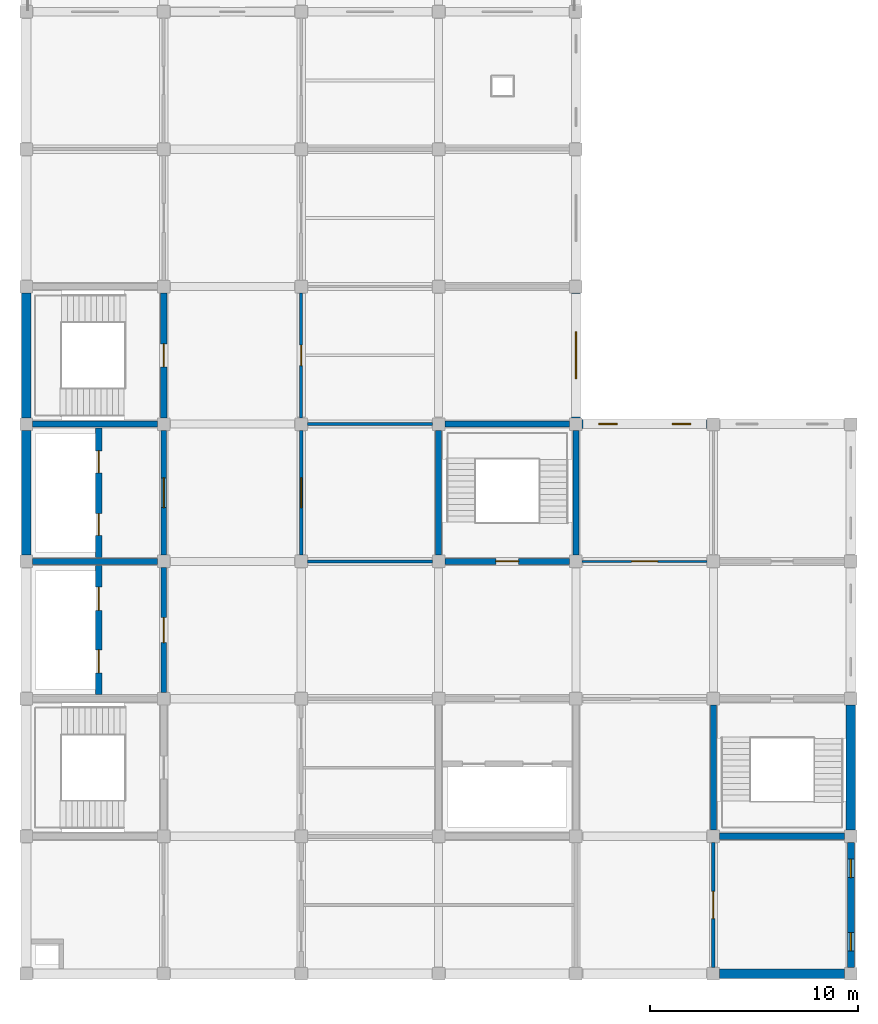
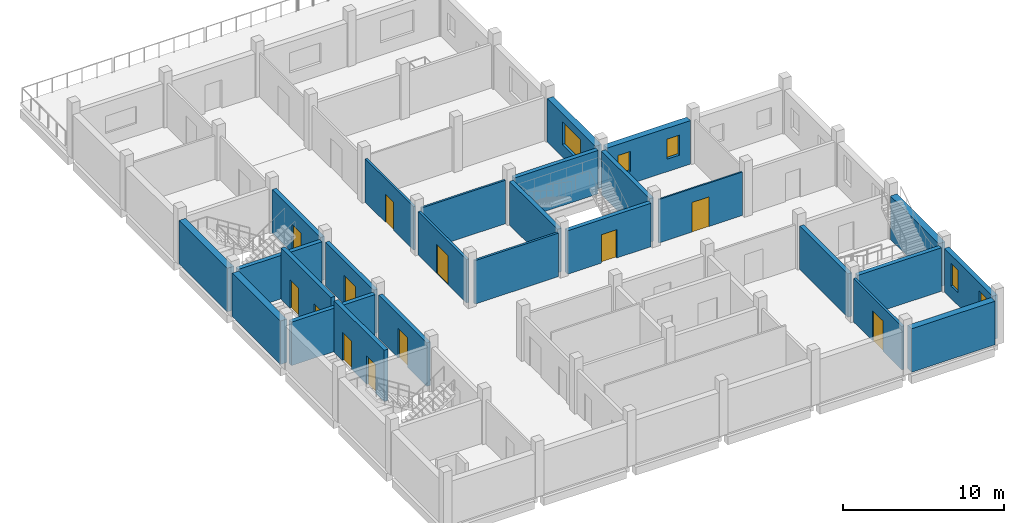
# One storey, part 3 of 7: 26 walls, 12 doors, 5 windows, 17 openings.
"""IFC4 building model written with IfcOpenShell, lengths in metres."""

from ifc_helpers import new_model, si_unit, direction, frame, frame_2d, origin, place, context, subcontext, project, spatial, rectangle, extrude, material, layer, layer_set, type_object, element, fill, save


model = new_model("IFC4")

# Units and contexts
model_context = context("Model", 3, precision=1e-05, world=origin(), true_north=direction((0.0, 1.0)))
body_context = subcontext(model_context, "Body", "Model", "MODEL_VIEW")
ifc_project = project(units=[si_unit("LENGTHUNIT", "METRE"), si_unit("AREAUNIT", "SQUARE_METRE"), si_unit("VOLUMEUNIT", "CUBIC_METRE"), si_unit("PLANEANGLEUNIT", "RADIAN"), si_unit("MASSUNIT", "GRAM", prefix="KILO")], contexts=[model_context])

# Site, building, storey
site_placement = place(None, origin())
site = spatial("IfcSite", under=ifc_project, at=site_placement, CompositionType="ELEMENT")
building_placement = place(site_placement, origin())
building = spatial("IfcBuilding", under=site, at=building_placement, Name="Rusizi Kubbe Research Institute", CompositionType="ELEMENT")
storey_placement = place(building_placement, frame((0.0, 0.0, 64.800048828125)))
storey = spatial("IfcBuildingStorey", under=building, at=storey_placement, Name="L15", CompositionType="ELEMENT", Elevation=64.800048828125)

# Wall
ifc_material_1 = material(Name="Concrete C40/50", Category="concrete")
ifc_layer_1 = layer(ifc_material_1, 0.294921875)
ifc_layer_set_1 = layer_set([ifc_layer_1], Name="Concrete C40/50")
wall_type_1 = type_object("IfcWallType", Name="CRW-03", PredefinedType="SHEAR", material=ifc_layer_set_1)
wall_1_placement = place(storey_placement, frame((0.300048828125, 26.39990234375, 0.0), z_axis=(0.0, 0.0, 1.0), x_axis=(1.0, 0.0, 0.0)))
element("IfcWall", 1, at=wall_1_placement, inside=storey, type_object=wall_type_1, Name="Stair Core Shear Wall ST2 L15 S", PredefinedType="SHEAR", context=body_context, shape_type="SweptSolid", body=[
    extrude(rectangle(XDim=6.0, YDim=0.294921875, at=frame_2d((3.0, 0.0))), origin(), (0.0, 0.0, 1.0), 3.300048828125),
])

# Wall, opening, door
wall_2_placement = place(storey_placement, frame((6.60009765625, 26.699951171875, 0.0), z_axis=(0.0, 0.0, 1.0), x_axis=(0.0, 1.0, 0.0)))
wall_2 = element("IfcWall", 2, at=wall_2_placement, inside=storey, type_object=wall_type_1, Name="Stair Core Shear Wall ST2 L15 E", PredefinedType="SHEAR", context=body_context, shape_type="SweptSolid", body=[
    extrude(rectangle(XDim=6.0, YDim=0.294921875, at=frame_2d((3.0, 0.0))), origin(), (0.0, 0.0, 1.0), 3.300048828125),
])
opening_1_placement = place(wall_2_placement, frame((2.449951171875, 0.0, 0.0)))
opening_1 = element("IfcOpeningElement", 3, at=opening_1_placement, cuts=wall_2, Name="Opening D-01", PredefinedType="OPENING", context=body_context, shape_type="SweptSolid", body=[
    extrude(rectangle(XDim=1.10009765625, YDim=2.14990234375, at=frame_2d((0.550048828125, 1.074951171875))), frame((0.0, 0.157470703125, 0.0), z_axis=(0.0, -1.0, 0.0), x_axis=(1.0, 0.0, 0.0)), (0.0, 0.0, 1.0), 0.31494140625),
])
ifc_material_2 = material(Name="Fire-Rated Steel Frame and Acoustic Timber Leaf", Category="wood")
door_type_1 = type_object("IfcDoorType", Name="ID-STAIR-110", OperationType="NOTDEFINED", PredefinedType="DOOR", material=ifc_material_2)
door_1_placement = place(opening_1_placement, origin())
door_1 = element("IfcDoor", 4, at=door_1_placement, inside=storey, type_object=door_type_1, Name="Exit Stair Door ST2 L15", OperationType="SINGLE_SWING_LEFT", OverallHeight=2.14990234375, OverallWidth=1.10009765625, PredefinedType="DOOR", context=body_context, shape_type="SweptSolid", body=[
    extrude(rectangle(XDim=1.10009765625, YDim=2.14990234375, at=frame_2d((0.550048828125, 1.074951171875))), frame((0.0, 0.02490234375, 0.0), z_axis=(0.0, -1.0, 0.0), x_axis=(1.0, 0.0, 0.0)), (0.0, 0.0, 1.0), 0.050048828125),
])
fill(opening_1, door_1)

wall_3_placement = place(storey_placement, frame((20.10009765625, 19.800048828125, 0.0), z_axis=(0.0, 0.0, 1.0), x_axis=(1.0, 0.0, 0.0)))
wall_3 = element("IfcWall", 5, at=wall_3_placement, inside=storey, type_object=wall_type_1, Name="Stair Core Shear Wall ST3 L15 S", PredefinedType="SHEAR", context=body_context, shape_type="SweptSolid", body=[
    extrude(rectangle(XDim=6.0, YDim=0.294921875, at=frame_2d((3.0, 0.0))), origin(), (0.0, 0.0, 1.0), 3.300048828125),
])
opening_2_placement = place(wall_3_placement, frame((2.449951171875, 0.0, 0.0)))
opening_2 = element("IfcOpeningElement", 6, at=opening_2_placement, cuts=wall_3, Name="Opening D-01", PredefinedType="OPENING", context=body_context, shape_type="SweptSolid", body=[
    extrude(rectangle(XDim=1.10009765625, YDim=2.14990234375, at=frame_2d((0.550048828125, 1.074951171875))), frame((0.0, 0.157470703125, 0.0), z_axis=(0.0, -1.0, 0.0), x_axis=(1.0, 0.0, 0.0)), (0.0, 0.0, 1.0), 0.31494140625),
])
door_2_placement = place(opening_2_placement, origin())
door_2 = element("IfcDoor", 7, at=door_2_placement, inside=storey, type_object=door_type_1, Name="Exit Stair Door ST3 L15", OperationType="SINGLE_SWING_LEFT", OverallHeight=2.14990234375, OverallWidth=1.10009765625, PredefinedType="DOOR", context=body_context, shape_type="SweptSolid", body=[
    extrude(rectangle(XDim=1.10009765625, YDim=2.14990234375, at=frame_2d((0.550048828125, 1.074951171875))), frame((0.0, 0.02490234375, 0.0), z_axis=(0.0, -1.0, 0.0), x_axis=(1.0, 0.0, 0.0)), (0.0, 0.0, 1.0), 0.050048828125),
])
fill(opening_2, door_2)

# Walls
for number, where, z_axis, x_axis, name in (
    (8, (20.10009765625, 26.39990234375, 0.0), (0.0, 0.0, 1.0), (1.0, 0.0, 0.0), "Stair Core Shear Wall ST3 L15 N"),
    (9, (19.800048828125, 20.10009765625, 0.0), (0.0, 0.0, 1.0), (0.0, 1.0, 0.0), "Stair Core Shear Wall ST3 L15 W"),
    (10, (26.39990234375, 20.10009765625, 0.0), (0.0, 0.0, 1.0), (0.0, 1.0, 0.0), "Stair Core Shear Wall ST3 L15 E"),
    (11, (33.300048828125, 6.60009765625, 0.0), (0.0, 0.0, 1.0), (1.0, 0.0, 0.0), "Stair Core Shear Wall ST4 L15 S"),
    (12, (33.0, 6.89990234375, 0.0), (0.0, 0.0, 1.0), (0.0, 1.0, 0.0), "Stair Core Shear Wall ST4 L15 W"),
    (13, (0.300048828125, 19.800048828125, 0.0), (0.0, 0.0, 1.0), (1.0, 0.0, 0.0), "Lift Core Divider Wall (0,2-3) L15"),
):
    element("IfcWall", number, at=place(storey_placement, frame(where, z_axis=z_axis, x_axis=x_axis)), inside=storey, type_object=wall_type_1, Name=name, PredefinedType="SHEAR", context=body_context, shape_type="SweptSolid", body=[
        extrude(rectangle(XDim=6.0, YDim=0.294921875, at=frame_2d((3.0, 0.0))), origin(), (0.0, 0.0, 1.0), 3.300048828125),
    ])

# Wall, openings, doors
wall_4_placement = place(storey_placement, frame((3.47998046875, 13.39990234375, 0.0), z_axis=(0.0, 0.0, 1.0), x_axis=(0.0, 1.0, 0.0)))
wall_4 = element("IfcWall", 14, at=wall_4_placement, inside=storey, type_object=wall_type_1, Name="Firefighting Lift Shaft Front Wall L15", PredefinedType="SHEAR", context=body_context, shape_type="SweptSolid", body=[
    extrude(rectangle(XDim=6.2001953125, YDim=0.294921875, at=frame_2d((3.10009765625, 0.0))), origin(), (0.0, 0.0, 1.0), 3.89990234375),
])
opening_3_placement = place(wall_4_placement, frame((1.050048828125, 0.0, 0.0)))
opening_3 = element("IfcOpeningElement", 15, at=opening_3_placement, cuts=wall_4, Name="Opening LD-01", PredefinedType="OPENING", context=body_context, shape_type="SweptSolid", body=[
    extrude(rectangle(XDim=1.10009765625, YDim=2.14990234375, at=frame_2d((0.550048828125, 1.074951171875))), frame((0.0, 0.157470703125, 0.0), z_axis=(0.0, -1.0, 0.0), x_axis=(1.0, 0.0, 0.0)), (0.0, 0.0, 1.0), 0.31494140625),
])
opening_4_placement = place(wall_4_placement, frame((4.050048828125, 0.0, 0.0)))
opening_4 = element("IfcOpeningElement", 16, at=opening_4_placement, cuts=wall_4, Name="Opening LD-02", PredefinedType="OPENING", context=body_context, shape_type="SweptSolid", body=[
    extrude(rectangle(XDim=1.1201171875, YDim=2.14990234375, at=frame_2d((0.56005859375, 1.074951171875))), frame((0.0, 0.157470703125, 0.0), z_axis=(0.0, -1.0, 0.0), x_axis=(1.0, 0.0, 0.0)), (0.0, 0.0, 1.0), 0.31494140625),
])
ifc_material_3 = material(Name="Brushed Stainless Steel Sliding Door", Category="steel")
door_type_2 = type_object("IfcDoorType", Name="LD-01", OperationType="DOUBLE_DOOR_SLIDING", PredefinedType="USERDEFINED", material=ifc_material_3)
door_3_placement = place(opening_3_placement, origin())
door_3 = element("IfcDoor", 17, at=door_3_placement, inside=storey, type_object=door_type_2, Name="Lift Landing Sliding Door FL1 L15", ObjectType="SLIDING DOOR", OperationType="DOUBLE_DOOR_SLIDING", OverallHeight=2.14990234375, OverallWidth=1.10009765625, PredefinedType="USERDEFINED", context=body_context, shape_type="SweptSolid", body=[
    extrude(rectangle(XDim=1.10009765625, YDim=2.14990234375, at=frame_2d((0.550048828125, 1.074951171875))), frame((0.0, 0.02490234375, 0.0), z_axis=(0.0, -1.0, 0.0), x_axis=(1.0, 0.0, 0.0)), (0.0, 0.0, 1.0), 0.050048828125),
])
fill(opening_3, door_3)
ifc_material_4 = material(Name="Brushed Stainless Steel Sliding Door", Category="steel")
door_type_3 = type_object("IfcDoorType", Name="LD-02", OperationType="DOUBLE_DOOR_SLIDING", PredefinedType="USERDEFINED", material=ifc_material_4)
door_4_placement = place(opening_4_placement, origin())
door_4 = element("IfcDoor", 18, at=door_4_placement, inside=storey, type_object=door_type_3, Name="Lift Landing Sliding Door FL2 L15", ObjectType="SLIDING DOOR", OperationType="DOUBLE_DOOR_SLIDING", OverallHeight=2.14990234375, OverallWidth=1.1201171875, PredefinedType="USERDEFINED", context=body_context, shape_type="SweptSolid", body=[
    extrude(rectangle(XDim=1.1201171875, YDim=2.14990234375, at=frame_2d((0.56005859375, 1.074951171875))), frame((0.0, 0.02490234375, 0.0), z_axis=(0.0, -1.0, 0.0), x_axis=(1.0, 0.0, 0.0)), (0.0, 0.0, 1.0), 0.050048828125),
])
fill(opening_4, door_4)

wall_5_placement = place(storey_placement, frame((3.47998046875, 20.0, 0.0), z_axis=(0.0, 0.0, 1.0), x_axis=(0.0, 1.0, 0.0)))
wall_5 = element("IfcWall", 19, at=wall_5_placement, inside=storey, type_object=wall_type_1, Name="Passenger Lift Shaft Front Wall L15", PredefinedType="SHEAR", context=body_context, shape_type="SweptSolid", body=[
    extrude(rectangle(XDim=6.199951171875, YDim=0.294921875, at=frame_2d((3.10009765625, 0.0))), origin(), (0.0, 0.0, 1.0), 3.89990234375),
])
opening_5_placement = place(wall_5_placement, frame((1.050048828125, 0.0, 0.0)))
opening_5 = element("IfcOpeningElement", 20, at=opening_5_placement, cuts=wall_5, Name="Opening LD-03", PredefinedType="OPENING", context=body_context, shape_type="SweptSolid", body=[
    extrude(rectangle(XDim=1.050048828125, YDim=2.14990234375, at=frame_2d((0.52490234375, 1.074951171875))), frame((0.0, 0.157470703125, 0.0), z_axis=(0.0, -1.0, 0.0), x_axis=(1.0, 0.0, 0.0)), (0.0, 0.0, 1.0), 0.31494140625),
])
opening_6_placement = place(wall_5_placement, frame((4.050048828125, 0.0, 0.0)))
opening_6 = element("IfcOpeningElement", 21, at=opening_6_placement, cuts=wall_5, Name="Opening LD-04", PredefinedType="OPENING", context=body_context, shape_type="SweptSolid", body=[
    extrude(rectangle(XDim=1.06005859375, YDim=2.14990234375, at=frame_2d((0.530029296875, 1.074951171875))), frame((0.0, 0.157470703125, 0.0), z_axis=(0.0, -1.0, 0.0), x_axis=(1.0, 0.0, 0.0)), (0.0, 0.0, 1.0), 0.31494140625),
])
ifc_material_5 = material(Name="Brushed Stainless Steel Sliding Door", Category="steel")
door_type_4 = type_object("IfcDoorType", Name="LD-03", OperationType="DOUBLE_DOOR_SLIDING", PredefinedType="USERDEFINED", material=ifc_material_5)
door_5_placement = place(opening_5_placement, origin())
door_5 = element("IfcDoor", 22, at=door_5_placement, inside=storey, type_object=door_type_4, Name="Lift Landing Sliding Door LP1 L15", ObjectType="SLIDING DOOR", OperationType="DOUBLE_DOOR_SLIDING", OverallHeight=2.14990234375, OverallWidth=1.050048828125, PredefinedType="USERDEFINED", context=body_context, shape_type="SweptSolid", body=[
    extrude(rectangle(XDim=1.050048828125, YDim=2.14990234375, at=frame_2d((0.52490234375, 1.074951171875))), frame((0.0, 0.02490234375, 0.0), z_axis=(0.0, -1.0, 0.0), x_axis=(1.0, 0.0, 0.0)), (0.0, 0.0, 1.0), 0.050048828125),
])
fill(opening_5, door_5)
ifc_material_6 = material(Name="Brushed Stainless Steel Sliding Door", Category="steel")
door_type_5 = type_object("IfcDoorType", Name="LD-04", OperationType="DOUBLE_DOOR_SLIDING", PredefinedType="USERDEFINED", material=ifc_material_6)
door_6_placement = place(opening_6_placement, origin())
door_6 = element("IfcDoor", 23, at=door_6_placement, inside=storey, type_object=door_type_5, Name="Lift Landing Sliding Door LP2 L15", ObjectType="SLIDING DOOR", OperationType="DOUBLE_DOOR_SLIDING", OverallHeight=2.14990234375, OverallWidth=1.06005859375, PredefinedType="USERDEFINED", context=body_context, shape_type="SweptSolid", body=[
    extrude(rectangle(XDim=1.06005859375, YDim=2.14990234375, at=frame_2d((0.530029296875, 1.074951171875))), frame((0.0, 0.02490234375, 0.0), z_axis=(0.0, -1.0, 0.0), x_axis=(1.0, 0.0, 0.0)), (0.0, 0.0, 1.0), 0.050048828125),
])
fill(opening_6, door_6)

# Wall, opening, window
ifc_material_7 = material(Name="Volcanic Basalt Ashlar Masonry", Category="masonry")
ifc_layer_2 = layer(ifc_material_7, 0.43994140625)
ifc_layer_set_2 = layer_set([ifc_layer_2], Name="Volcanic Basalt Ashlar Masonry")
wall_type_2 = type_object("IfcWallType", Name="EW-01", PredefinedType="SOLIDWALL", material=ifc_layer_set_2)
wall_6_placement = place(storey_placement, frame((26.39990234375, 26.699951171875, 0.0), z_axis=(0.0, 0.0, 1.0), x_axis=(0.0, 1.0, 0.0)))
wall_6 = element("IfcWall", 24, at=wall_6_placement, inside=storey, type_object=wall_type_2, Name="Ablaq Stone Exterior Wall L15 V4-4", PredefinedType="SOLIDWALL", context=body_context, shape_type="SweptSolid", body=[
    extrude(rectangle(XDim=6.0, YDim=0.43994140625, at=frame_2d((3.0, 0.0))), origin(), (0.0, 0.0, 1.0), 3.300048828125),
])
opening_7_placement = place(wall_6_placement, frame((1.8798828125, 0.0, 0.949951171875)))
opening_7 = element("IfcOpeningElement", 25, at=opening_7_placement, cuts=wall_6, Name="Opening WN-31", PredefinedType="OPENING", context=body_context, shape_type="SweptSolid", body=[
    extrude(rectangle(XDim=2.239990234375, YDim=1.739990234375, at=frame_2d((1.1201171875, 0.8701171875))), frame((0.0, 0.22998046875, 0.0), z_axis=(0.0, -1.0, 0.0), x_axis=(1.0, 0.0, 0.0)), (0.0, 0.0, 1.0), 0.4599609375),
])
ifc_material_8 = material(Name="Aluminium Frame and Solar-Control Double Glazing", Category="glass")
window_type_1 = type_object("IfcWindowType", Name="WN-31", PartitioningType="DOUBLE_PANEL_VERTICAL", PredefinedType="WINDOW", material=ifc_material_8)
window_1_placement = place(opening_7_placement, origin())
window_1 = element("IfcWindow", 26, at=window_1_placement, inside=storey, type_object=window_type_1, Name="Casement Window WN-31 L15", OverallHeight=1.739990234375, OverallWidth=2.239990234375, PartitioningType="DOUBLE_PANEL_VERTICAL", PredefinedType="WINDOW", context=body_context, shape_type="SweptSolid", body=[
    extrude(rectangle(XDim=2.239990234375, YDim=1.739990234375, at=frame_2d((1.1201171875, 0.8701171875))), frame((0.0, 0.030029296875, 0.0), z_axis=(0.0, -1.0, 0.0), x_axis=(1.0, 0.0, 0.0)), (0.0, 0.0, 1.0), 0.06005859375),
])
fill(opening_7, window_1)

# Wall, openings, windows
wall_7_placement = place(storey_placement, frame((26.699951171875, 26.39990234375, 0.0), z_axis=(0.0, 0.0, 1.0), x_axis=(1.0, 0.0, 0.0)))
wall_7 = element("IfcWall", 27, at=wall_7_placement, inside=storey, type_object=wall_type_2, Name="Ablaq Stone Exterior Wall L15 H4-4", PredefinedType="SOLIDWALL", context=body_context, shape_type="SweptSolid", body=[
    extrude(rectangle(XDim=6.0, YDim=0.43994140625, at=frame_2d((3.0, 0.0))), origin(), (0.0, 0.0, 1.0), 3.300048828125),
])
opening_8_placement = place(wall_7_placement, frame((0.800048828125, 0.0, 0.949951171875)))
opening_8 = element("IfcOpeningElement", 28, at=opening_8_placement, cuts=wall_7, Name="Opening WN-02", PredefinedType="OPENING", context=body_context, shape_type="SweptSolid", body=[
    extrude(rectangle(XDim=0.8798828125, YDim=1.52001953125, at=frame_2d((0.43994140625, 0.760009765625))), frame((0.0, 0.22998046875, 0.0), z_axis=(0.0, -1.0, 0.0), x_axis=(1.0, 0.0, 0.0)), (0.0, 0.0, 1.0), 0.4599609375),
])
opening_9_placement = place(wall_7_placement, frame((4.320068359375, 0.0, 0.949951171875)))
opening_9 = element("IfcOpeningElement", 29, at=opening_9_placement, cuts=wall_7, Name="Opening WN-02", PredefinedType="OPENING", context=body_context, shape_type="SweptSolid", body=[
    extrude(rectangle(XDim=0.8798828125, YDim=1.52001953125, at=frame_2d((0.43994140625, 0.760009765625))), frame((0.0, 0.22998046875, 0.0), z_axis=(0.0, -1.0, 0.0), x_axis=(1.0, 0.0, 0.0)), (0.0, 0.0, 1.0), 0.4599609375),
])
ifc_material_9 = material(Name="Aluminium Frame and Solar-Control Double Glazing", Category="glass")
window_type_2 = type_object("IfcWindowType", Name="WN-02", PartitioningType="SINGLE_PANEL", PredefinedType="WINDOW", material=ifc_material_9)
window_2_placement = place(opening_8_placement, origin())
window_2 = element("IfcWindow", 30, at=window_2_placement, inside=storey, type_object=window_type_2, Name="Casement Window WN-02 L15", OverallHeight=1.52001953125, OverallWidth=0.8798828125, PartitioningType="SINGLE_PANEL", PredefinedType="WINDOW", context=body_context, shape_type="SweptSolid", body=[
    extrude(rectangle(XDim=0.8798828125, YDim=1.52001953125, at=frame_2d((0.43994140625, 0.760009765625))), frame((0.0, 0.030029296875, 0.0), z_axis=(0.0, -1.0, 0.0), x_axis=(1.0, 0.0, 0.0)), (0.0, 0.0, 1.0), 0.06005859375),
])
fill(opening_8, window_2)
window_3_placement = place(opening_9_placement, origin())
window_3 = element("IfcWindow", 31, at=window_3_placement, inside=storey, type_object=window_type_2, Name="Casement Window WN-02 L15", OverallHeight=1.52001953125, OverallWidth=0.8798828125, PartitioningType="SINGLE_PANEL", PredefinedType="WINDOW", context=body_context, shape_type="SweptSolid", body=[
    extrude(rectangle(XDim=0.8798828125, YDim=1.52001953125, at=frame_2d((0.43994140625, 0.760009765625))), frame((0.0, 0.030029296875, 0.0), z_axis=(0.0, -1.0, 0.0), x_axis=(1.0, 0.0, 0.0)), (0.0, 0.0, 1.0), 0.06005859375),
])
fill(opening_9, window_3)

ifc_material_10 = material(Name="Volcanic Basalt Ashlar Masonry", Category="masonry")
ifc_layer_3 = layer(ifc_material_10, 0.340087890625)
ifc_layer_set_3 = layer_set([ifc_layer_3], Name="Volcanic Basalt Ashlar Masonry")
wall_type_3 = type_object("IfcWallType", Name="EW-07", PredefinedType="SOLIDWALL", material=ifc_layer_set_3)
wall_8_placement = place(storey_placement, frame((39.60009765625, 0.300048828125, 0.0), z_axis=(0.0, 0.0, 1.0), x_axis=(0.0, 1.0, 0.0)))
wall_8 = element("IfcWall", 32, at=wall_8_placement, inside=storey, type_object=wall_type_3, Name="Ablaq Stone Exterior Wall L15 V6-0", PredefinedType="SOLIDWALL", context=body_context, shape_type="SweptSolid", body=[
    extrude(rectangle(XDim=6.0, YDim=0.340087890625, at=frame_2d((3.0, 0.0))), origin(), (0.0, 0.0, 1.0), 3.300048828125),
])
opening_10_placement = place(wall_8_placement, frame((0.800048828125, 0.0, 0.949951171875)))
opening_10 = element("IfcOpeningElement", 33, at=opening_10_placement, cuts=wall_8, Name="Opening WN-03", PredefinedType="OPENING", context=body_context, shape_type="SweptSolid", body=[
    extrude(rectangle(XDim=0.8798828125, YDim=1.739990234375, at=frame_2d((0.43994140625, 0.8701171875))), frame((0.0, 0.179931640625, 0.0), z_axis=(0.0, -1.0, 0.0), x_axis=(1.0, 0.0, 0.0)), (0.0, 0.0, 1.0), 0.360107421875),
])
opening_11_placement = place(wall_8_placement, frame((4.320068359375, 0.0, 0.949951171875)))
opening_11 = element("IfcOpeningElement", 34, at=opening_11_placement, cuts=wall_8, Name="Opening WN-03", PredefinedType="OPENING", context=body_context, shape_type="SweptSolid", body=[
    extrude(rectangle(XDim=0.8798828125, YDim=1.739990234375, at=frame_2d((0.43994140625, 0.8701171875))), frame((0.0, 0.179931640625, 0.0), z_axis=(0.0, -1.0, 0.0), x_axis=(1.0, 0.0, 0.0)), (0.0, 0.0, 1.0), 0.360107421875),
])
ifc_material_11 = material(Name="Aluminium Frame and Solar-Control Double Glazing", Category="glass")
window_type_3 = type_object("IfcWindowType", Name="WN-03", PartitioningType="SINGLE_PANEL", PredefinedType="WINDOW", material=ifc_material_11)
window_4_placement = place(opening_10_placement, origin())
window_4 = element("IfcWindow", 35, at=window_4_placement, inside=storey, type_object=window_type_3, Name="Casement Window WN-03 L15", OverallHeight=1.739990234375, OverallWidth=0.8798828125, PartitioningType="SINGLE_PANEL", PredefinedType="WINDOW", context=body_context, shape_type="SweptSolid", body=[
    extrude(rectangle(XDim=0.8798828125, YDim=1.739990234375, at=frame_2d((0.43994140625, 0.8701171875))), frame((0.0, 0.030029296875, 0.0), z_axis=(0.0, -1.0, 0.0), x_axis=(1.0, 0.0, 0.0)), (0.0, 0.0, 1.0), 0.06005859375),
])
fill(opening_10, window_4)
window_5_placement = place(opening_11_placement, origin())
window_5 = element("IfcWindow", 36, at=window_5_placement, inside=storey, type_object=window_type_3, Name="Casement Window WN-03 L15", OverallHeight=1.739990234375, OverallWidth=0.8798828125, PartitioningType="SINGLE_PANEL", PredefinedType="WINDOW", context=body_context, shape_type="SweptSolid", body=[
    extrude(rectangle(XDim=0.8798828125, YDim=1.739990234375, at=frame_2d((0.43994140625, 0.8701171875))), frame((0.0, 0.030029296875, 0.0), z_axis=(0.0, -1.0, 0.0), x_axis=(1.0, 0.0, 0.0)), (0.0, 0.0, 1.0), 0.06005859375),
])
fill(opening_11, window_5)

# Wall, opening, door
ifc_material_12 = material(Name="Acoustic Laboratory Partition", Category="masonry")
ifc_layer_4 = layer(ifc_material_12, 0.175048828125)
ifc_layer_set_4 = layer_set([ifc_layer_4], Name="Acoustic Laboratory Partition")
wall_type_4 = type_object("IfcWallType", Name="IW-03", PredefinedType="PARTITIONING", material=ifc_layer_set_4)
wall_9_placement = place(storey_placement, frame((13.199951171875, 20.10009765625, 0.0), z_axis=(0.0, 0.0, 1.0), x_axis=(0.0, 1.0, 0.0)))
wall_9 = element("IfcWall", 37, at=wall_9_placement, inside=storey, type_object=wall_type_4, Name="Interior Partition Wall L15 V2-3", PredefinedType="PARTITIONING", context=body_context, shape_type="SweptSolid", body=[
    extrude(rectangle(XDim=6.0, YDim=0.175048828125, at=frame_2d((3.0, 0.0))), origin(), (0.0, 0.0, 1.0), 3.300048828125),
])
opening_12_placement = place(wall_9_placement, frame((2.2900390625, 0.0, 0.0)))
opening_12 = element("IfcOpeningElement", 38, at=opening_12_placement, cuts=wall_9, Name="Opening D-22", PredefinedType="OPENING", context=body_context, shape_type="SweptSolid", body=[
    extrude(rectangle(XDim=1.419921875, YDim=2.199951171875, at=frame_2d((0.7099609375, 1.10009765625))), frame((0.0, 0.097412109375, 0.0), z_axis=(0.0, -1.0, 0.0), x_axis=(1.0, 0.0, 0.0)), (0.0, 0.0, 1.0), 0.195068359375),
])
ifc_material_13 = material(Name="Fire-Rated Steel Frame and Acoustic Timber Leaf", Category="wood")
door_type_6 = type_object("IfcDoorType", Name="ID-STR-142", OperationType="DOUBLE_DOOR_SINGLE_SWING", PredefinedType="DOOR", material=ifc_material_13)
door_7_placement = place(opening_12_placement, origin())
door_7 = element("IfcDoor", 39, at=door_7_placement, inside=storey, type_object=door_type_6, Name="Door to Colloquium Seminar Room (L15-NW-01)", OperationType="DOUBLE_DOOR_SINGLE_SWING", OverallHeight=2.199951171875, OverallWidth=1.419921875, PredefinedType="DOOR", context=body_context, shape_type="SweptSolid", body=[
    extrude(rectangle(XDim=1.419921875, YDim=2.199951171875, at=frame_2d((0.7099609375, 1.10009765625))), frame((0.0, 0.02490234375, 0.0), z_axis=(0.0, -1.0, 0.0), x_axis=(1.0, 0.0, 0.0)), (0.0, 0.0, 1.0), 0.050048828125),
])
fill(opening_12, door_7)

wall_10_placement = place(storey_placement, frame((33.0, 0.300048828125, 0.0), z_axis=(0.0, 0.0, 1.0), x_axis=(0.0, 1.0, 0.0)))
wall_10 = element("IfcWall", 40, at=wall_10_placement, inside=storey, type_object=wall_type_4, Name="Interior Partition Wall L15 V5-0", PredefinedType="PARTITIONING", context=body_context, shape_type="SweptSolid", body=[
    extrude(rectangle(XDim=6.0, YDim=0.175048828125, at=frame_2d((3.0, 0.0))), origin(), (0.0, 0.0, 1.0), 3.300048828125),
])
opening_13_placement = place(wall_10_placement, frame((2.35009765625, 0.0, 0.0)))
opening_13 = element("IfcOpeningElement", 41, at=opening_13_placement, cuts=wall_10, Name="Opening D-14", PredefinedType="OPENING", context=body_context, shape_type="SweptSolid", body=[
    extrude(rectangle(XDim=1.300048828125, YDim=2.300048828125, at=frame_2d((0.64990234375, 1.14990234375))), frame((0.0, 0.097412109375, 0.0), z_axis=(0.0, -1.0, 0.0), x_axis=(1.0, 0.0, 0.0)), (0.0, 0.0, 1.0), 0.195068359375),
])
ifc_material_14 = material(Name="Fire-Rated Steel Frame and Acoustic Timber Leaf", Category="wood")
door_type_7 = type_object("IfcDoorType", Name="ID-LAB-130", OperationType="NOTDEFINED", PredefinedType="DOOR", material=ifc_material_14)
door_8_placement = place(opening_13_placement, origin())
door_8 = element("IfcDoor", 42, at=door_8_placement, inside=storey, type_object=door_type_7, Name="Door to Laboratory Instrument Support Room (L15-EWU-05)", OperationType="SINGLE_SWING_RIGHT", OverallHeight=2.300048828125, OverallWidth=1.300048828125, PredefinedType="DOOR", context=body_context, shape_type="SweptSolid", body=[
    extrude(rectangle(XDim=1.300048828125, YDim=2.300048828125, at=frame_2d((0.64990234375, 1.14990234375))), frame((0.0, 0.02490234375, 0.0), z_axis=(0.0, -1.0, 0.0), x_axis=(1.0, 0.0, 0.0)), (0.0, 0.0, 1.0), 0.050048828125),
])
fill(opening_13, door_8)

ifc_material_15 = material(Name="Fire-Rated Corridor Partition", Category="masonry")
ifc_layer_5 = layer(ifc_material_15, 0.155029296875)
ifc_layer_set_5 = layer_set([ifc_layer_5], Name="Fire-Rated Corridor Partition")
wall_type_5 = type_object("IfcWallType", Name="IW-04", PredefinedType="PARTITIONING", material=ifc_layer_set_5)
wall_11_placement = place(storey_placement, frame((13.199951171875, 26.699951171875, 0.0), z_axis=(0.0, 0.0, 1.0), x_axis=(0.0, 1.0, 0.0)))
wall_11 = element("IfcWall", 43, at=wall_11_placement, inside=storey, type_object=wall_type_5, Name="Interior Partition Wall L15 V2-4", PredefinedType="PARTITIONING", context=body_context, shape_type="SweptSolid", body=[
    extrude(rectangle(XDim=6.0, YDim=0.155029296875, at=frame_2d((3.0, 0.0))), origin(), (0.0, 0.0, 1.0), 3.300048828125),
])
opening_14_placement = place(wall_11_placement, frame((2.510009765625, 0.0, 0.0)))
opening_14 = element("IfcOpeningElement", 44, at=opening_14_placement, cuts=wall_11, Name="Opening D-20", PredefinedType="OPENING", context=body_context, shape_type="SweptSolid", body=[
    extrude(rectangle(XDim=0.97998046875, YDim=2.14990234375, at=frame_2d((0.489990234375, 1.074951171875))), frame((0.0, 0.08740234375, 0.0), z_axis=(0.0, -1.0, 0.0), x_axis=(1.0, 0.0, 0.0)), (0.0, 0.0, 1.0), 0.175048828125),
])
ifc_material_16 = material(Name="Fire-Rated Steel Frame and Acoustic Timber Leaf", Category="wood")
door_type_8 = type_object("IfcDoorType", Name="ID-OFF-980", OperationType="NOTDEFINED", PredefinedType="DOOR", material=ifc_material_16)
door_9_placement = place(opening_14_placement, origin())
door_9 = element("IfcDoor", 45, at=door_9_placement, inside=storey, type_object=door_type_8, Name="Door to Write-up Office (L15-NW-02)", OperationType="SINGLE_SWING_LEFT", OverallHeight=2.14990234375, OverallWidth=0.97998046875, PredefinedType="DOOR", context=body_context, shape_type="SweptSolid", body=[
    extrude(rectangle(XDim=0.97998046875, YDim=2.14990234375, at=frame_2d((0.489990234375, 1.074951171875))), frame((0.0, 0.02490234375, 0.0), z_axis=(0.0, -1.0, 0.0), x_axis=(1.0, 0.0, 0.0)), (0.0, 0.0, 1.0), 0.050048828125),
])
fill(opening_14, door_9)

# Walls
wall_12_placement = place(storey_placement, frame((13.5, 19.800048828125, 0.0), z_axis=(0.0, 0.0, 1.0), x_axis=(1.0, 0.0, 0.0)))
element("IfcWall", 46, at=wall_12_placement, inside=storey, type_object=wall_type_5, Name="Interior Partition Wall L15 H2-3", PredefinedType="PARTITIONING", context=body_context, shape_type="SweptSolid", body=[
    extrude(rectangle(XDim=6.0, YDim=0.155029296875, at=frame_2d((3.0, 0.0))), origin(), (0.0, 0.0, 1.0), 3.300048828125),
])
ifc_material_17 = material(Name="Write-up Glazed Acoustic Partition", Category="masonry")
ifc_layer_6 = layer(ifc_material_17, 0.139892578125)
ifc_layer_set_6 = layer_set([ifc_layer_6], Name="Write-up Glazed Acoustic Partition")
wall_type_6 = type_object("IfcWallType", Name="IW-05", PredefinedType="PARTITIONING", material=ifc_layer_set_6)
wall_13_placement = place(storey_placement, frame((13.5, 26.39990234375, 0.0), z_axis=(0.0, 0.0, 1.0), x_axis=(1.0, 0.0, 0.0)))
element("IfcWall", 47, at=wall_13_placement, inside=storey, type_object=wall_type_6, Name="Interior Partition Wall L15 H2-4", PredefinedType="PARTITIONING", context=body_context, shape_type="SweptSolid", body=[
    extrude(rectangle(XDim=6.0, YDim=0.139892578125, at=frame_2d((3.0, 0.0))), origin(), (0.0, 0.0, 1.0), 3.300048828125),
])

# Wall, opening, door
ifc_material_18 = material(Name="Sub-Suite Fire Partition", Category="masonry")
ifc_layer_7 = layer(ifc_material_18, 0.110107421875)
ifc_layer_set_7 = layer_set([ifc_layer_7], Name="Sub-Suite Fire Partition")
wall_type_7 = type_object("IfcWallType", Name="IW-07", PredefinedType="PARTITIONING", material=ifc_layer_set_7)
wall_14_placement = place(storey_placement, frame((26.699951171875, 19.800048828125, 0.0), z_axis=(0.0, 0.0, 1.0), x_axis=(1.0, 0.0, 0.0)))
wall_14 = element("IfcWall", 48, at=wall_14_placement, inside=storey, type_object=wall_type_7, Name="Interior Partition Wall L15 H4-3", PredefinedType="PARTITIONING", context=body_context, shape_type="SweptSolid", body=[
    extrude(rectangle(XDim=6.0, YDim=0.110107421875, at=frame_2d((3.0, 0.0))), origin(), (0.0, 0.0, 1.0), 3.300048828125),
])
opening_15_placement = place(wall_14_placement, frame((2.375, 0.0, 0.0)))
opening_15 = element("IfcOpeningElement", 49, at=opening_15_placement, cuts=wall_14, Name="Opening D-15", PredefinedType="OPENING", context=body_context, shape_type="SweptSolid", body=[
    extrude(rectangle(XDim=1.25, YDim=2.25, at=frame_2d((0.625, 1.125))), frame((0.0, 0.06494140625, 0.0), z_axis=(0.0, -1.0, 0.0), x_axis=(1.0, 0.0, 0.0)), (0.0, 0.0, 1.0), 0.130126953125),
])
ifc_material_19 = material(Name="Fire-Rated Steel Frame and Acoustic Timber Leaf", Category="wood")
door_type_9 = type_object("IfcDoorType", Name="ID-LAB-125", OperationType="NOTDEFINED", PredefinedType="DOOR", material=ifc_material_19)
door_10_placement = place(opening_15_placement, origin())
door_10 = element("IfcDoor", 50, at=door_10_placement, inside=storey, type_object=door_type_9, Name="Door to Molecular Diagnostics Laboratory (L15-EWN-01)", OperationType="SINGLE_SWING_LEFT", OverallHeight=2.25, OverallWidth=1.25, PredefinedType="DOOR", context=body_context, shape_type="SweptSolid", body=[
    extrude(rectangle(XDim=1.25, YDim=2.25, at=frame_2d((0.625, 1.125))), frame((0.0, 0.02490234375, 0.0), z_axis=(0.0, -1.0, 0.0), x_axis=(1.0, 0.0, 0.0)), (0.0, 0.0, 1.0), 0.050048828125),
])
fill(opening_15, door_10)

# Walls
ifc_material_20 = material(Name="Concrete C40/50", Category="concrete")
ifc_layer_8 = layer(ifc_material_20, 0.4599609375)
ifc_layer_set_8 = layer_set([ifc_layer_8], Name="Concrete C40/50")
wall_type_8 = type_object("IfcWallType", Name="PW-02", PredefinedType="SOLIDWALL", material=ifc_layer_set_8)
for number, where, z_axis, x_axis, name in (
    (51, (0.0, 20.10009765625, 0.0), (0.0, 0.0, 1.0), (0.0, 1.0, 0.0), "Blind Party Wall L15 V0-3"),
    (52, (0.0, 26.699951171875, 0.0), (0.0, 0.0, 1.0), (0.0, 1.0, 0.0), "Blind Party Wall L15 V0-4"),
    (53, (33.300048828125, 0.0, 0.0), (0.0, 0.0, 1.0), (1.0, 0.0, 0.0), "Blind Party Wall L15 H5-0"),
    (54, (39.60009765625, 6.89990234375, 0.0), (0.0, 0.0, 1.0), (0.0, 1.0, 0.0), "Core Shear Exterior Wall L15 V6-1"),
):
    element("IfcWall", number, at=place(storey_placement, frame(where, z_axis=z_axis, x_axis=x_axis)), inside=storey, type_object=wall_type_8, Name=name, PredefinedType="SOLIDWALL", context=body_context, shape_type="SweptSolid", body=[
        extrude(rectangle(XDim=6.0, YDim=0.4599609375, at=frame_2d((3.0, 0.0))), origin(), (0.0, 0.0, 1.0), 3.300048828125),
    ])

# Wall, opening, door
ifc_material_21 = material(Name="Concrete C40/50", Category="concrete")
ifc_layer_9 = layer(ifc_material_21, 0.27490234375)
ifc_layer_set_9 = layer_set([ifc_layer_9], Name="Concrete C40/50")
wall_type_9 = type_object("IfcWallType", Name="SHW-01", PredefinedType="SHEAR", material=ifc_layer_set_9)
wall_15_placement = place(storey_placement, frame((6.60009765625, 13.5, 0.0), z_axis=(0.0, 0.0, 1.0), x_axis=(0.0, 1.0, 0.0)))
wall_15 = element("IfcWall", 55, at=wall_15_placement, inside=storey, type_object=wall_type_9, Name="Firefighting Lobby Wall L15", PredefinedType="SHEAR", context=body_context, shape_type="SweptSolid", body=[
    extrude(rectangle(XDim=6.0, YDim=0.27490234375, at=frame_2d((3.0, 0.0))), origin(), (0.0, 0.0, 1.0), 3.300048828125),
])
opening_16_placement = place(wall_15_placement, frame((2.39990234375, 0.0, 0.0)))
opening_16 = element("IfcOpeningElement", 56, at=opening_16_placement, cuts=wall_15, Name="Opening D-03", PredefinedType="OPENING", context=body_context, shape_type="SweptSolid", body=[
    extrude(rectangle(XDim=1.199951171875, YDim=2.25, at=frame_2d((0.60009765625, 1.125))), frame((0.0, 0.1474609375, 0.0), z_axis=(0.0, -1.0, 0.0), x_axis=(1.0, 0.0, 0.0)), (0.0, 0.0, 1.0), 0.294921875),
])
ifc_material_22 = material(Name="Fire-Rated Steel Frame and Acoustic Timber Leaf", Category="wood")
door_type_10 = type_object("IfcDoorType", Name="ID-FF-120", OperationType="NOTDEFINED", PredefinedType="DOOR", material=ifc_material_22)
door_11_placement = place(opening_16_placement, origin())
door_11 = element("IfcDoor", 57, at=door_11_placement, inside=storey, type_object=door_type_10, Name="Door to Firefighting Lift Lobby (L15-FFL-01)", OperationType="SINGLE_SWING_LEFT", OverallHeight=2.25, OverallWidth=1.199951171875, PredefinedType="DOOR", context=body_context, shape_type="SweptSolid", body=[
    extrude(rectangle(XDim=1.199951171875, YDim=2.25, at=frame_2d((0.60009765625, 1.125))), frame((0.0, 0.02490234375, 0.0), z_axis=(0.0, -1.0, 0.0), x_axis=(1.0, 0.0, 0.0)), (0.0, 0.0, 1.0), 0.050048828125),
])
fill(opening_16, door_11)

wall_16_placement = place(storey_placement, frame((6.60009765625, 20.10009765625, 0.0), z_axis=(0.0, 0.0, 1.0), x_axis=(0.0, 1.0, 0.0)))
wall_16 = element("IfcWall", 58, at=wall_16_placement, inside=storey, type_object=wall_type_9, Name="Passenger Lift Lobby Wall L15", PredefinedType="SHEAR", context=body_context, shape_type="SweptSolid", body=[
    extrude(rectangle(XDim=6.0, YDim=0.27490234375, at=frame_2d((3.0, 0.0))), origin(), (0.0, 0.0, 1.0), 3.300048828125),
])
opening_17_placement = place(wall_16_placement, frame((2.2900390625, 0.0, 0.0)))
opening_17 = element("IfcOpeningElement", 59, at=opening_17_placement, cuts=wall_16, Name="Opening D-22", PredefinedType="OPENING", context=body_context, shape_type="SweptSolid", body=[
    extrude(rectangle(XDim=1.419921875, YDim=2.199951171875, at=frame_2d((0.7099609375, 1.10009765625))), frame((0.0, 0.1474609375, 0.0), z_axis=(0.0, -1.0, 0.0), x_axis=(1.0, 0.0, 0.0)), (0.0, 0.0, 1.0), 0.294921875),
])
door_12_placement = place(opening_17_placement, origin())
door_12 = element("IfcDoor", 60, at=door_12_placement, inside=storey, type_object=door_type_6, Name="Door to Passenger Lift Lobby (L15-LBY-01)", OperationType="DOUBLE_DOOR_SINGLE_SWING", OverallHeight=2.199951171875, OverallWidth=1.419921875, PredefinedType="DOOR", context=body_context, shape_type="SweptSolid", body=[
    extrude(rectangle(XDim=1.419921875, YDim=2.199951171875, at=frame_2d((0.7099609375, 1.10009765625))), frame((0.0, 0.02490234375, 0.0), z_axis=(0.0, -1.0, 0.0), x_axis=(1.0, 0.0, 0.0)), (0.0, 0.0, 1.0), 0.050048828125),
])
fill(opening_17, door_12)

save(model, "model.ifc")
